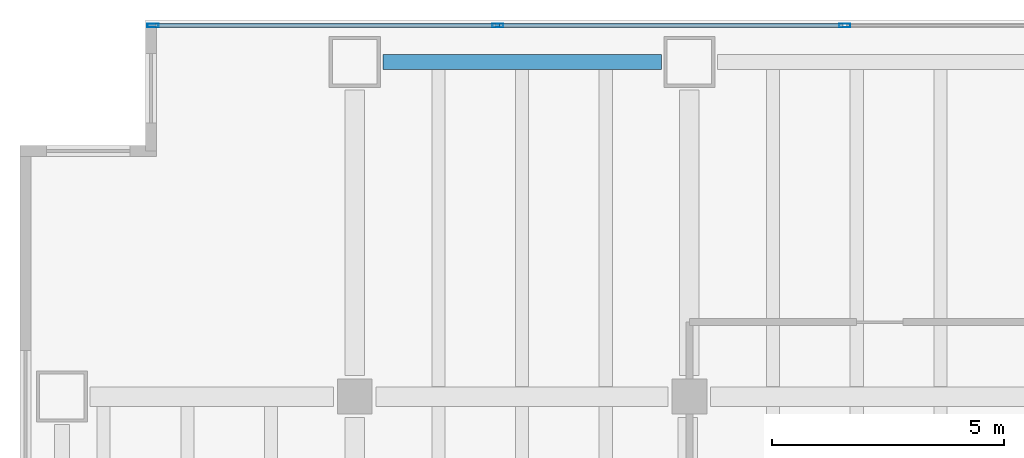
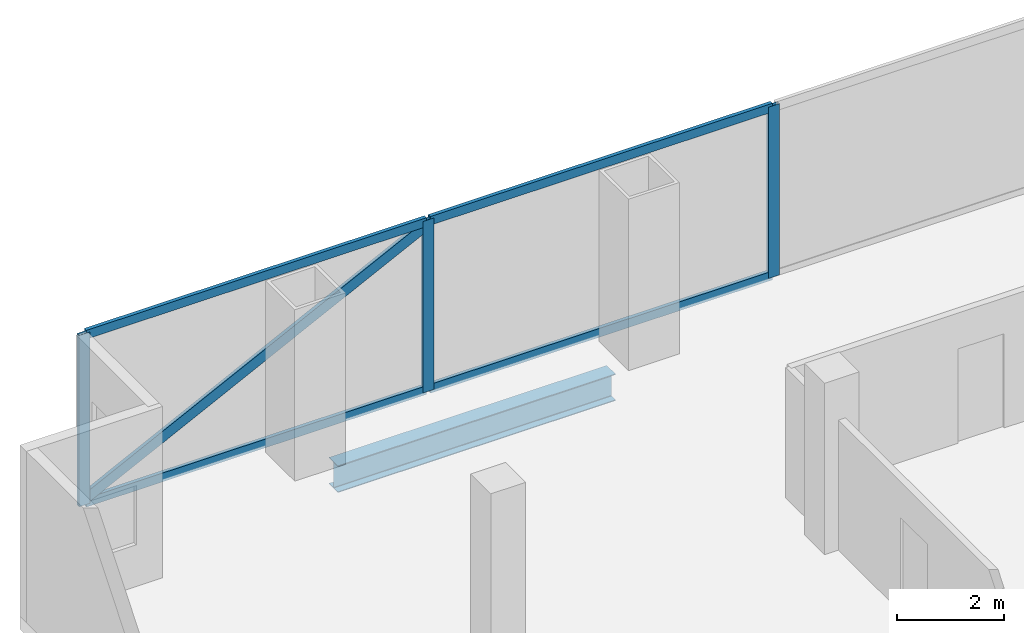
# One storey, part 11 of 28: 8 members, 1 beam, 1 element without a shape of its own.
"""IFC4 building model written with IfcOpenShell, lengths in metres."""

from ifc_helpers import new_model, si_unit, direction, frame, origin, origin_2d, place, context, subcontext, project, spatial, hollow_rectangle, i_section, extrude, material, material_profile, profile_set, type_object, element, aggregate, save


model = new_model("IFC4")

# Units and contexts
model_context = context("Model", 3, precision=1e-05, world=origin(), true_north=direction((0.0, 1.0)))
body_context = subcontext(model_context, "Body", "Model", "MODEL_VIEW")
ifc_project = project(units=[si_unit("LENGTHUNIT", "METRE"), si_unit("AREAUNIT", "SQUARE_METRE"), si_unit("VOLUMEUNIT", "CUBIC_METRE"), si_unit("PLANEANGLEUNIT", "RADIAN"), si_unit("MASSUNIT", "GRAM", prefix="KILO")], contexts=[model_context])

# Site, building, storey
site_placement = place(None, origin())
site = spatial("IfcSite", under=ifc_project, at=site_placement, CompositionType="ELEMENT")
building_placement = place(site_placement, origin())
building = spatial("IfcBuilding", under=site, at=building_placement, Name="Cobrela Telecom Tower", CompositionType="ELEMENT")
storey_placement = place(building_placement, frame((0.0, 0.0, 17.85009765625)))
storey = spatial("IfcBuildingStorey", under=building, at=storey_placement, Name="L04", CompositionType="ELEMENT", Elevation=17.85009765625)

# Beam
ifc_material_1 = material(Name="Steel ASTM A992 Grade 50", Category="steel")
ifc_material_profile_1 = material_profile(ifc_material_1, i_section(OverallWidth=0.324951171875, OverallDepth=0.612060546875, WebThickness=0.0126953125, FlangeThickness=0.01904296875, FilletRadius=0.014892578125, at=origin_2d()), Name="W24X104")
ifc_profile_set_1 = profile_set([ifc_material_profile_1], Name="Steel ASTM A992 Grade 50")
beam_type = type_object("IfcBeamType", Name="BM-SPAND-02", PredefinedType="SPANDREL", material=ifc_profile_set_1)
beam_placement = place(storey_placement, frame((7.804931640625, 49.5, -0.59619140625), z_axis=(1.0, 0.0, 0.0), x_axis=(0.0, 1.0, 0.0)))
element("IfcBeam", 1, at=beam_placement, inside=storey, type_object=beam_type, Name="L04 Perimeter Spandrel X52", PredefinedType="SPANDREL", context=body_context, shape_type="SweptSolid", body=[
    extrude(i_section(OverallWidth=0.324951171875, OverallDepth=0.612060546875, WebThickness=0.0126953125, FlangeThickness=0.01904296875, FilletRadius=0.014892578125, at=origin_2d()), origin(), (0.0, 0.0, 1.0), 5.989990234375),
])

# Curtain wall, members
ifc_material_2 = material(Name="Anodized Bronze Aluminium 6063-T6", Category="aluminium")
curtain_wall_type = type_object("IfcCurtainWallType", Name="CW-SYS-CONC", PredefinedType="USERDEFINED", material=ifc_material_2)
curtain_wall_placement = place(storey_placement, origin())
curtain_wall = element("IfcCurtainWall", 2, at=curtain_wall_placement, inside=storey, type_object=curtain_wall_type, Name="L04 Unitised Bronze Curtain Wall 07", ObjectType="UNITISED CURTAIN WALL", PredefinedType="USERDEFINED")
ifc_material_profile_2 = material_profile(ifc_material_2, hollow_rectangle(XDim=0.080078125, YDim=0.239990234375, WallThickness=0.0048828125, at=origin_2d()), Name="ALU 80x240x5")
ifc_profile_set_2 = profile_set([ifc_material_profile_2], Name="Anodized Bronze Aluminium 6063-T6")
member_type_1 = type_object("IfcMemberType", Name="CW-SYS-CONC-MUL", PredefinedType="MULLION", material=ifc_profile_set_2)
member_1_placement = place(storey_placement, frame((2.860107421875, 50.280029296875, 0.0), z_axis=(0.0, 0.0, 1.0), x_axis=(0.0, 1.0, 0.0)))
member_1 = element("IfcMember", 3, at=member_1_placement, type_object=member_type_1, Name="CW-CONC mullion 1", PredefinedType="MULLION", context=body_context, shape_type="SweptSolid", body=[
    extrude(hollow_rectangle(XDim=0.080078125, YDim=0.239990234375, WallThickness=0.0048828125, at=origin_2d()), origin(), (0.0, 0.0, 1.0), 3.909912109375),
])
member_2_placement = place(storey_placement, frame((10.280029296875, 50.280029296875, 0.0), z_axis=(0.0, 0.0, 1.0), x_axis=(0.0, 1.0, 0.0)))
member_2 = element("IfcMember", 4, at=member_2_placement, type_object=member_type_1, Name="CW-CONC mullion 2", PredefinedType="MULLION", context=body_context, shape_type="SweptSolid", body=[
    extrude(hollow_rectangle(XDim=0.080078125, YDim=0.239990234375, WallThickness=0.0048828125, at=origin_2d()), origin(), (0.0, 0.0, 1.0), 3.909912109375),
])
member_3_placement = place(storey_placement, frame((17.739990234375, 50.280029296875, 0.0), z_axis=(0.0, 0.0, 1.0), x_axis=(0.0, 1.0, 0.0)))
member_3 = element("IfcMember", 5, at=member_3_placement, type_object=member_type_1, Name="CW-CONC mullion 3", PredefinedType="MULLION", context=body_context, shape_type="SweptSolid", body=[
    extrude(hollow_rectangle(XDim=0.080078125, YDim=0.239990234375, WallThickness=0.0048828125, at=origin_2d()), origin(), (0.0, 0.0, 1.0), 3.909912109375),
])
member_4_placement = place(storey_placement, frame((2.820068359375, 50.280029296875, 0.099853515625), z_axis=(0.895386267808, 0.0, 0.445290277707), x_axis=(0.0, 1.0, 0.0)))
member_4 = element("IfcMember", 6, at=member_4_placement, type_object=member_type_1, Name="L04 Faceted Curtain Wall Diagonal Glazing Mullion", PredefinedType="MULLION", context=body_context, shape_type="SweptSolid", body=[
    extrude(hollow_rectangle(XDim=0.080078125, YDim=0.239990234375, WallThickness=0.0048828125, at=origin_2d()), origin(), (0.0, 0.0, 1.0), 8.33154296875),
])
ifc_material_profile_3 = material_profile(ifc_material_2, hollow_rectangle(XDim=0.080078125, YDim=0.199951171875, WallThickness=0.00390625, at=origin_2d()), Name="ALU 80x200x4")
ifc_profile_set_3 = profile_set([ifc_material_profile_3], Name="Anodized Bronze Aluminium 6063-T6")
member_type_2 = type_object("IfcMemberType", Name="CW-SYS-CONC-TRN", PredefinedType="USERDEFINED", material=ifc_profile_set_3)
member_5_placement = place(storey_placement, frame((2.89990234375, 50.280029296875, 0.039794921875), z_axis=(1.0, 0.0, 0.0), x_axis=(0.0, 1.0, 0.0)))
member_5 = element("IfcMember", 7, at=member_5_placement, type_object=member_type_2, Name="CW-CONC transom 1.1", ObjectType="TRANSOM", PredefinedType="USERDEFINED", context=body_context, shape_type="SweptSolid", body=[
    extrude(hollow_rectangle(XDim=0.080078125, YDim=0.199951171875, WallThickness=0.00390625, at=origin_2d()), origin(), (0.0, 0.0, 1.0), 7.340087890625),
])
member_6_placement = place(storey_placement, frame((2.89990234375, 50.280029296875, 3.869873046875), z_axis=(1.0, 0.0, 0.0), x_axis=(0.0, 1.0, 0.0)))
member_6 = element("IfcMember", 8, at=member_6_placement, type_object=member_type_2, Name="CW-CONC transom 1.2", ObjectType="TRANSOM", PredefinedType="USERDEFINED", context=body_context, shape_type="SweptSolid", body=[
    extrude(hollow_rectangle(XDim=0.080078125, YDim=0.199951171875, WallThickness=0.00390625, at=origin_2d()), origin(), (0.0, 0.0, 1.0), 7.340087890625),
])
member_7_placement = place(storey_placement, frame((10.320068359375, 50.280029296875, 0.039794921875), z_axis=(1.0, 0.0, 0.0), x_axis=(0.0, 1.0, 0.0)))
member_7 = element("IfcMember", 9, at=member_7_placement, type_object=member_type_2, Name="CW-CONC transom 2.1", ObjectType="TRANSOM", PredefinedType="USERDEFINED", context=body_context, shape_type="SweptSolid", body=[
    extrude(hollow_rectangle(XDim=0.080078125, YDim=0.199951171875, WallThickness=0.00390625, at=origin_2d()), origin(), (0.0, 0.0, 1.0), 7.3798828125),
])
member_8_placement = place(storey_placement, frame((10.320068359375, 50.280029296875, 3.869873046875), z_axis=(1.0, 0.0, 0.0), x_axis=(0.0, 1.0, 0.0)))
member_8 = element("IfcMember", 10, at=member_8_placement, type_object=member_type_2, Name="CW-CONC transom 2.2", ObjectType="TRANSOM", PredefinedType="USERDEFINED", context=body_context, shape_type="SweptSolid", body=[
    extrude(hollow_rectangle(XDim=0.080078125, YDim=0.199951171875, WallThickness=0.00390625, at=origin_2d()), origin(), (0.0, 0.0, 1.0), 7.3798828125),
])
aggregate(curtain_wall, [member_1, member_2, member_3, member_5, member_6, member_7, member_8, member_4])

save(model, "model.ifc")
